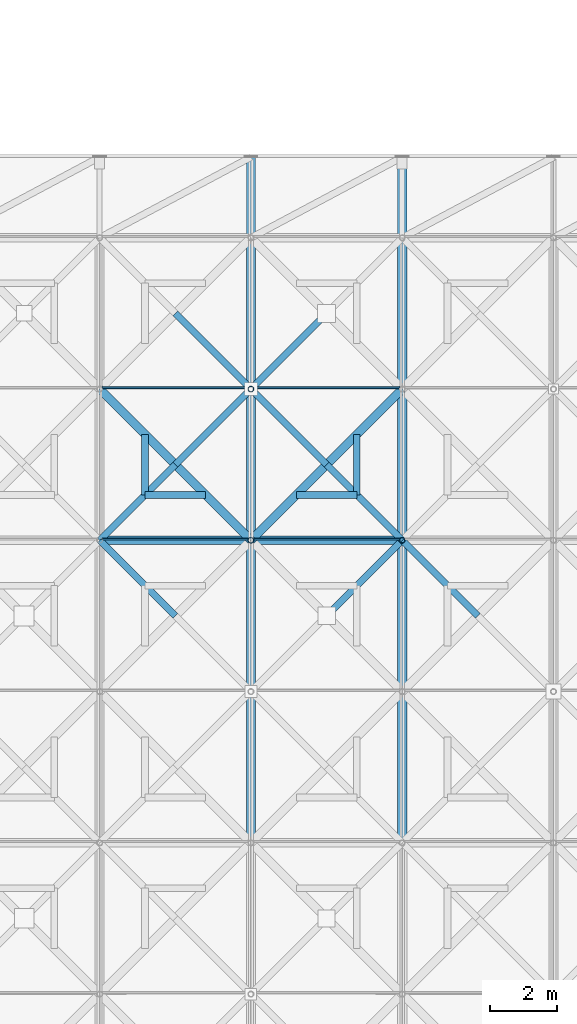
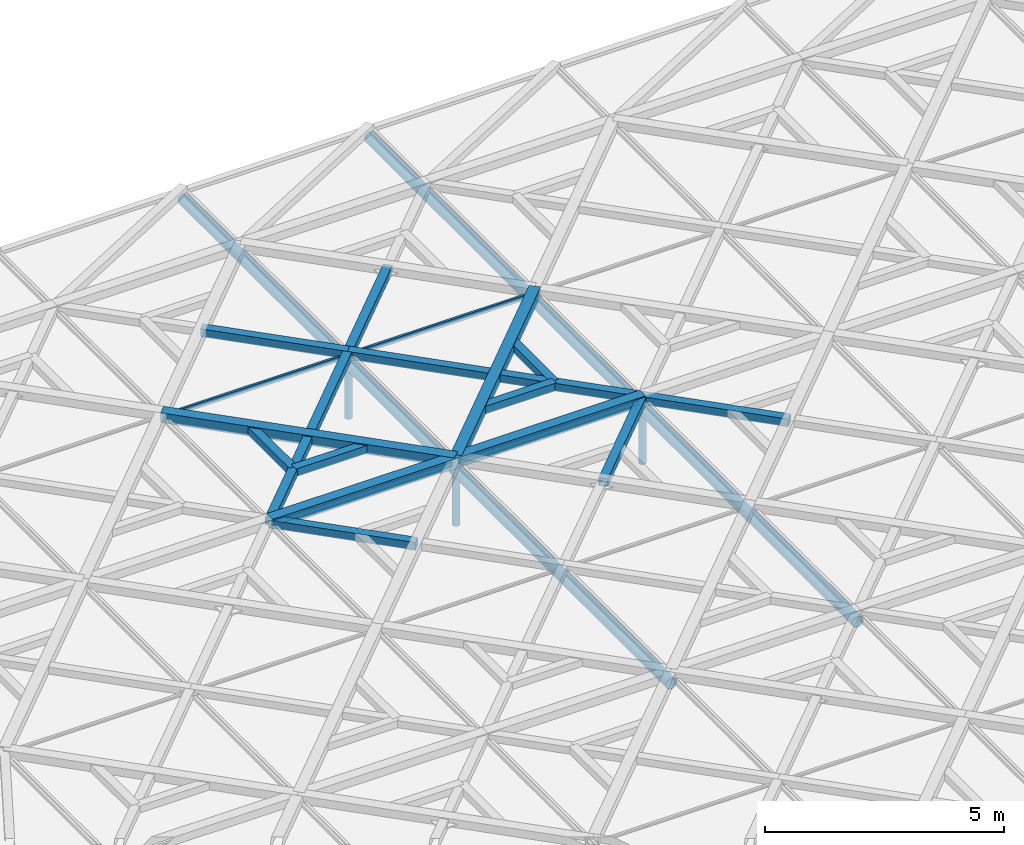
# One storey, part 54 of 80: 24 members, 2 elements without a shape of their own.
"""IFC4 building model written with IfcOpenShell, lengths in metres."""

import ifcopenshell
import ifcopenshell.guid

model = None  # the IFC model being written
_history = None  # IfcOwnerHistory: only IFC2X3 demands one
_inside = {}  # id of a spatial element -> (the spatial element, [elements in it])
_under = {}  # id of a project, library or spatial element -> (it, [spatial elements below it])
_declared = {}  # id of a project -> (the project, [libraries it declares])
_typed = {}  # id of a type object -> (the type object, [elements of that type])
_made_of = {}  # id of a material, layer set ... -> (it, [elements and type objects made of it])


def new_model(schema):
    """Start an empty IFC model of exactly this schema.

    Asked for "IFC4X3", IfcOpenShell would pick the latest addendum, in which some entities
    have other attributes; the version numbers below select the first issue.
    IFC2X3 requires an IfcOwnerHistory on every rooted entity: one is made here for all.
    """
    global model, _history
    if schema == "IFC4X3":
        model = ifcopenshell.file(schema_version=(4, 3, 0, 0))
    else:
        model = ifcopenshell.file(schema=schema)
    _inside.clear()
    _under.clear()
    _declared.clear()
    _typed.clear()
    _made_of.clear()
    _history = None
    if model.schema == "IFC2X3":
        org = make("IfcOrganization", Name="unknown")
        user = make(
            "IfcPersonAndOrganization",
            ThePerson=make("IfcPerson", FamilyName="unknown"),
            TheOrganization=org,
        )
        app = make(
            "IfcApplication",
            ApplicationDeveloper=org,
            Version="unknown",
            ApplicationFullName="unknown",
            ApplicationIdentifier="unknown",
        )
        _history = make(
            "IfcOwnerHistory",
            OwningUser=user,
            OwningApplication=app,
            ChangeAction="ADDED",
            CreationDate=0,
        )
    return model


def make(cls, **values):
    """One entity of the class cls with the attributes given. An attribute that is None is left unset."""
    return model.create_entity(
        cls, **{name: value for name, value in values.items() if value is not None}
    )


def rooted(cls, **values):
    """An entity with a GlobalId (a new one), such as an element, a storey or a relation."""
    return make(cls, GlobalId=ifcopenshell.guid.new(), OwnerHistory=_history, **values)


def si_unit(unit_type, name, prefix=None):
    """IfcSIUnit, for example si_unit("LENGTHUNIT", "METRE", prefix="MILLI")."""
    return make("IfcSIUnit", UnitType=unit_type, Prefix=prefix, Name=name)


def assignment(units):
    """IfcUnitAssignment: the units of a project."""
    return None if units is None else make("IfcUnitAssignment", Units=units)


def point(xyz):
    """IfcCartesianPoint."""
    return None if xyz is None else make("IfcCartesianPoint", Coordinates=xyz)


def direction(xyz):
    """IfcDirection."""
    return None if xyz is None else make("IfcDirection", DirectionRatios=xyz)


def frame(location, z_axis=None, x_axis=None):
    """IfcAxis2Placement3D, a coordinate frame: its origin and axes. An axis left out is left unset."""
    return make(
        "IfcAxis2Placement3D",
        Location=point(location),
        Axis=direction(z_axis),
        RefDirection=direction(x_axis),
    )


def frame_2d(location, x_axis=None):
    """IfcAxis2Placement2D, a coordinate frame in the plane: its origin and x axis."""
    return make(
        "IfcAxis2Placement2D", Location=point(location), RefDirection=direction(x_axis)
    )


def origin():
    """The frame at (0, 0, 0) with its axes left unset."""
    return frame((0.0, 0.0, 0.0))


def origin_2d():
    """The frame at (0, 0) in the plane with its x axis left unset."""
    return frame_2d((0.0, 0.0))


def place(relative_to, where):
    """IfcLocalPlacement: puts the frame where relative to a parent placement (None: the world)."""
    return make(
        "IfcLocalPlacement", PlacementRelTo=relative_to, RelativePlacement=where
    )


def context(
    kind, dimensions, precision=None, world=None, true_north=None, identifier=None
):
    """IfcGeometricRepresentationContext, for example the 3D "Model" context."""
    return make(
        "IfcGeometricRepresentationContext",
        ContextIdentifier=identifier,
        ContextType=kind,
        CoordinateSpaceDimension=dimensions,
        Precision=precision,
        WorldCoordinateSystem=world,
        TrueNorth=true_north,
    )


def subcontext(parent, identifier, kind, view, scale=None):
    """IfcGeometricRepresentationSubContext, for example "Body" below "Model"."""
    return make(
        "IfcGeometricRepresentationSubContext",
        ContextIdentifier=identifier,
        ContextType=kind,
        ParentContext=parent,
        TargetScale=scale,
        TargetView=view,
    )


def project(units=None, contexts=None):
    """IfcProject with its units and contexts."""
    return rooted(
        "IfcProject",
        Name="project",
        RepresentationContexts=contexts,
        UnitsInContext=assignment(units),
    )


def spatial(cls, under=None, at=None, **own):
    """A site, building, storey or space (cls), placed at a placement, below another one or the project."""
    s = rooted(cls, ObjectPlacement=at, **own)
    if under is not None:
        _under.setdefault(under.id(), (under, []))[1].append(s)
    return s


def profile(cls, at=None, kind="AREA", **sizes):
    """A parametric profile (cls). Its sizes go by their IFC names, for example OverallWidth=200.0."""
    return make(cls, ProfileType=kind, Position=at, **sizes)


def rectangle(**sizes):
    """IfcRectangleProfileDef."""
    return profile("IfcRectangleProfileDef", **sizes)


def hollow_rectangle(**sizes):
    """IfcRectangleHollowProfileDef."""
    return profile("IfcRectangleHollowProfileDef", **sizes)


def hollow_circle(**sizes):
    """IfcCircleHollowProfileDef."""
    return profile("IfcCircleHollowProfileDef", **sizes)


def extrude(swept, where, along, depth):
    """IfcExtrudedAreaSolid: the profile swept, set in the frame where, extruded along a direction by depth."""
    return make(
        "IfcExtrudedAreaSolid",
        SweptArea=swept,
        Position=where,
        ExtrudedDirection=direction(along),
        Depth=depth,
    )


def shape(context_of_items, identifier, shape_type, items):
    """IfcShapeRepresentation: the items that make up one representation, for example the "Body"."""
    return make(
        "IfcShapeRepresentation",
        ContextOfItems=context_of_items,
        RepresentationIdentifier=identifier,
        RepresentationType=shape_type,
        Items=items,
    )


def material(Name=None, Category=None):
    """IfcMaterial."""
    return make("IfcMaterial", Name=Name, Category=Category)


def material_profile(
    of_material, cross_section, Name=None, Category=None, Priority=None
):
    """IfcMaterialProfile: a cross section and its material."""
    return make(
        "IfcMaterialProfile",
        Name=Name,
        Material=of_material,
        Profile=cross_section,
        Priority=Priority,
        Category=Category,
    )


def profile_set(profiles, Name=None, composite=None):
    """IfcMaterialProfileSet."""
    return make(
        "IfcMaterialProfileSet",
        Name=Name,
        MaterialProfiles=profiles,
        CompositeProfile=composite,
    )


def made_of(thing, what):
    """Note that an element or type object is made of a material, layer set ...; save() writes the relation."""
    if what is not None:
        _made_of.setdefault(what.id(), (what, []))[1].append(thing)
    return thing


def type_object(cls, material=None, **own):
    """A type object (cls), such as IfcWallType, which elements share."""
    return made_of(rooted(cls, **own), material)


def element(
    cls,
    number,
    at=None,
    inside=None,
    cuts=None,
    type_object=None,
    material=None,
    context=None,
    identifier="Body",
    shape_type=None,
    held_by="IfcProductDefinitionShape",
    body=None,
    shapes=None,
    **own,
):
    """One element of the class cls, such as IfcWall. Its Tag is "e" and its number.

    at: its placement. inside: the storey or other place that contains it. cuts: it is an
    opening in that element (IfcRelVoidsElement). A single representation is given by context,
    identifier, shape_type and body (its items); several are given by shapes. held_by: the class
    of the entity that holds the representations. save() writes the other relations.
    """
    e = rooted(cls, Tag="e%d" % number, ObjectPlacement=at, **own)
    if body is not None:
        shapes = [shape(context, identifier, shape_type, body)]
    if shapes is not None:
        e.Representation = make(held_by, Representations=shapes)
    if inside is not None:
        _inside.setdefault(inside.id(), (inside, []))[1].append(e)
    if cuts is not None:
        rooted(
            "IfcRelVoidsElement", RelatingBuildingElement=cuts, RelatedOpeningElement=e
        )
    if type_object is not None:
        _typed.setdefault(type_object.id(), (type_object, []))[1].append(e)
    return made_of(e, material)


def aggregate(whole, parts):
    """IfcRelAggregates: a whole, such as a stair, and the parts it consists of."""
    return rooted("IfcRelAggregates", RelatingObject=whole, RelatedObjects=parts)


def save(model, path):
    """Write the relations noted so far, then the file.

    IfcRelAggregates (storeys below a building ...), IfcRelContainedInSpatialStructure (elements
    in a storey), IfcRelDefinesByType, IfcRelAssociatesMaterial and IfcRelDeclares: one each for
    every whole, place, type object, material and project.
    """
    for whole, parts in _under.values():
        aggregate(whole, parts)
    for where, things in _inside.values():
        rooted(
            "IfcRelContainedInSpatialStructure",
            RelatedElements=things,
            RelatingStructure=where,
        )
    for kind, things in _typed.values():
        rooted("IfcRelDefinesByType", RelatedObjects=things, RelatingType=kind)
    for what, things in _made_of.values():
        rooted("IfcRelAssociatesMaterial", RelatedObjects=things, RelatingMaterial=what)
    for by, libraries in _declared.values():
        rooted("IfcRelDeclares", RelatingContext=by, RelatedDefinitions=libraries)
    model.write(path)


model = new_model("IFC4")

# Units and contexts
model_context = context("Model", 3, precision=1e-05, world=origin(), true_north=direction((0.0, 1.0)))
body_context = subcontext(model_context, "Body", "Model", "MODEL_VIEW")
ifc_project = project(units=[si_unit("LENGTHUNIT", "METRE"), si_unit("AREAUNIT", "SQUARE_METRE"), si_unit("VOLUMEUNIT", "CUBIC_METRE"), si_unit("PLANEANGLEUNIT", "RADIAN"), si_unit("MASSUNIT", "GRAM", prefix="KILO"), si_unit("THERMODYNAMICTEMPERATUREUNIT", "KELVIN"), si_unit("POWERUNIT", "WATT")], contexts=[model_context])

# Site, building, storey
site_placement = place(None, origin())
site = spatial("IfcSite", under=ifc_project, at=site_placement, CompositionType="ELEMENT")
building_placement = place(site_placement, origin())
building = spatial("IfcBuilding", under=site, at=building_placement, Name="Tallowbark Science Centre", CompositionType="ELEMENT")
storey_placement = place(building_placement, frame((0.0, 0.0, 25.949951171875)))
storey = spatial("IfcBuildingStorey", under=building, at=storey_placement, Name="ROOF", CompositionType="ELEMENT", Elevation=25.949951171875)

# Curtain wall, members
ifc_material_1 = material(Name="Blue-Tinted Laminated Low-E Skylight Glass", Category="glass")
curtain_wall_type = type_object("IfcCurtainWallType", Name="CW-SKY-ROOF", PredefinedType="NOTDEFINED", material=ifc_material_1)
curtain_wall_1_placement = place(storey_placement, origin())
curtain_wall_1 = element("IfcCurtainWall", 1, at=curtain_wall_1_placement, inside=storey, type_object=curtain_wall_type, Name="Exhibition Star-Screen Skylight Bay 4", PredefinedType="NOTDEFINED")
ifc_material_2 = material(Name="Anodised Architectural Aluminium Alloy 6063-T6", Category="aluminium")
ifc_material_profile_1 = material_profile(ifc_material_2, rectangle(XDim=0.054931640625, YDim=0.1201171875, at=origin_2d()), Name="ALU55x120")
ifc_profile_set_1 = profile_set([ifc_material_profile_1], Name="Anodised Architectural Aluminium Alloy 6063-T6")
member_type_1 = type_object("IfcMemberType", Name="CWM-SKY-TRN", PredefinedType="USERDEFINED", material=ifc_profile_set_1)
member_1_placement = place(storey_placement, frame((67.580078125, 31.5400390625, 0.35205078125), z_axis=(1.0, 0.0, 0.0), x_axis=(0.0, 1.0, 0.0)))
member_1 = element("IfcMember", 2, at=member_1_placement, type_object=member_type_1, Name="Skylight Bay 4 Transom 8", ObjectType="TRANSOM", PredefinedType="USERDEFINED", context=body_context, shape_type="SweptSolid", body=[
    extrude(rectangle(XDim=0.054931640625, YDim=0.1201171875, at=origin_2d()), origin(), (0.0, 0.0, 1.0), 4.33984375),
])
member_2_placement = place(storey_placement, frame((67.580078125, 36.0400390625, 0.35205078125), z_axis=(1.0, 0.0, 0.0), x_axis=(0.0, 1.0, 0.0)))
member_2 = element("IfcMember", 3, at=member_2_placement, type_object=member_type_1, Name="Skylight Bay 4 Transom 9", ObjectType="TRANSOM", PredefinedType="USERDEFINED", context=body_context, shape_type="SweptSolid", body=[
    extrude(rectangle(XDim=0.054931640625, YDim=0.1201171875, at=origin_2d()), origin(), (0.0, 0.0, 1.0), 4.33984375),
])
aggregate(curtain_wall_1, [member_1, member_2])

curtain_wall_2_placement = place(storey_placement, origin())
curtain_wall_2 = element("IfcCurtainWall", 4, at=curtain_wall_2_placement, inside=storey, type_object=curtain_wall_type, Name="Exhibition Star-Screen Skylight Bay 5", PredefinedType="NOTDEFINED")
member_3_placement = place(storey_placement, frame((72.080078125, 31.5400390625, 0.35205078125), z_axis=(1.0, 0.0, 0.0), x_axis=(0.0, 1.0, 0.0)))
member_3 = element("IfcMember", 5, at=member_3_placement, type_object=member_type_1, Name="Skylight Bay 5 Transom 8", ObjectType="TRANSOM", PredefinedType="USERDEFINED", context=body_context, shape_type="SweptSolid", body=[
    extrude(rectangle(XDim=0.054931640625, YDim=0.1201171875, at=origin_2d()), origin(), (0.0, 0.0, 1.0), 4.33984375),
])
member_4_placement = place(storey_placement, frame((72.080078125, 36.0400390625, 0.35205078125), z_axis=(1.0, 0.0, 0.0), x_axis=(0.0, 1.0, 0.0)))
member_4 = element("IfcMember", 6, at=member_4_placement, type_object=member_type_1, Name="Skylight Bay 5 Transom 9", ObjectType="TRANSOM", PredefinedType="USERDEFINED", context=body_context, shape_type="SweptSolid", body=[
    extrude(rectangle(XDim=0.054931640625, YDim=0.1201171875, at=origin_2d()), origin(), (0.0, 0.0, 1.0), 4.33984375),
])
aggregate(curtain_wall_2, [member_3, member_4])

# Members
ifc_material_3 = material(Name="White Architectural Painted Steel Grade C350L0 (350 MPa)", Category="steel")
ifc_material_profile_2 = material_profile(ifc_material_3, hollow_rectangle(XDim=0.25, YDim=0.25, WallThickness=0.009033203125, at=origin_2d()), Name="250x250x9.0SHS")
ifc_profile_set_2 = profile_set([ifc_material_profile_2], Name="White Architectural Painted Steel Grade C350L0 (350 MPa)")
member_type_2 = type_object("IfcMemberType", Name="SCR-CHD200", PredefinedType="CHORD", material=ifc_profile_set_2)
member_5_placement = place(storey_placement, frame((67.5, 31.5, 0.449951171875), z_axis=(1.0, 0.0, 0.0), x_axis=(0.0, 1.0, 0.0)))
element("IfcMember", 7, at=member_5_placement, inside=storey, type_object=member_type_2, Name="Star Screen Frame Chord TOP-60", PredefinedType="CHORD", context=body_context, shape_type="SweptSolid", body=[
    extrude(hollow_rectangle(XDim=0.25, YDim=0.25, WallThickness=0.009033203125, at=origin_2d()), origin(), (0.0, 0.0, 1.0), 9.0),
])
for number, where, z_axis, x_axis, name in (
    (8, (72.0, 31.5, 0.449951171875), (0.707106781187, 0.707106781187, 0.0), (-0.707106781187, 0.707106781187, 0.0), "Star Screen Octagram Diamond Chord TOP-61-1"),
    (9, (67.5, 36.0, 0.449951171875), (0.707106781187, -0.707106781187, 0.0), (0.707106781187, 0.707106781187, 0.0), "Star Screen Octagram Diamond Chord TOP-61-4"),
):
    element("IfcMember", number, at=place(storey_placement, frame(where, z_axis=z_axis, x_axis=x_axis)), inside=storey, type_object=member_type_2, Name=name, PredefinedType="CHORD", context=body_context, shape_type="SweptSolid", body=[
        extrude(hollow_rectangle(XDim=0.25, YDim=0.25, WallThickness=0.009033203125, at=origin_2d()), origin(), (0.0, 0.0, 1.0), 6.364013671875),
    ])
ifc_material_profile_3 = material_profile(ifc_material_3, hollow_rectangle(XDim=0.199951171875, YDim=0.199951171875, WallThickness=0.009033203125, at=origin_2d()), Name="200x200x9.0SHS")
ifc_profile_set_3 = profile_set([ifc_material_profile_3], Name="White Architectural Painted Steel Grade C350L0 (350 MPa)")
member_type_3 = type_object("IfcMemberType", Name="SCR-STAR139", PredefinedType="BRACE", material=ifc_profile_set_3)
for number, where, z_axis, x_axis, name in (
    (10, (74.25, 29.25, 0.449951171875), (0.707106781187, 0.707106781187, 0.0), (-0.707106781187, 0.707106781187, 0.0), "Star Screen Continuous X-Diagonal D1B TOP-60"),
    (11, (67.5, 31.5, 0.449951171875), (0.707106781187, -0.707106781187, 0.0), (0.707106781187, 0.707106781187, 0.0), "Star Screen Split X-Diagonal D2A TOP-60"),
    (12, (67.5, 31.5, 0.449951171875), (0.707106781187, 0.707106781187, 0.0), (-0.707106781187, 0.707106781187, 0.0), "Star Screen Continuous X-Diagonal D1A TOP-61"),
):
    element("IfcMember", number, at=place(storey_placement, frame(where, z_axis=z_axis, x_axis=x_axis)), inside=storey, type_object=member_type_3, Name=name, PredefinedType="BRACE", context=body_context, shape_type="SweptSolid", body=[
        extrude(hollow_rectangle(XDim=0.199951171875, YDim=0.199951171875, WallThickness=0.009033203125, at=origin_2d()), origin(), (0.0, 0.0, 1.0), 3.181884765625),
    ])
member_6_placement = place(storey_placement, frame((69.75, 33.75, 0.449951171875), z_axis=(0.707106781187, 0.707106781187, 0.0), x_axis=(-0.707106781187, 0.707106781187, 0.0)))
element("IfcMember", 13, at=member_6_placement, inside=storey, type_object=member_type_3, Name="Star Screen Continuous X-Diagonal D1M TOP-61", PredefinedType="BRACE", context=body_context, shape_type="SweptSolid", body=[
    extrude(hollow_rectangle(XDim=0.199951171875, YDim=0.199951171875, WallThickness=0.009033203125, at=origin_2d()), origin(), (0.0, 0.0, 1.0), 6.364013671875),
])
for number, where, z_axis, x_axis, name in (
    (14, (69.75, 38.25, 0.449951171875), (0.707106781187, -0.707106781187, 0.0), (0.707106781187, 0.707106781187, 0.0), "Star Screen Split X-Diagonal D2B TOP-61"),
    (15, (72.0, 36.0, 0.449951171875), (0.707106781187, -0.707106781187, 0.0), (0.707106781187, 0.707106781187, 0.0), "Star Screen Split X-Diagonal D2C TOP-61"),
    (16, (74.25, 33.75, 0.449951171875), (0.707106781187, -0.707106781187, 0.0), (0.707106781187, 0.707106781187, 0.0), "Star Screen Split X-Diagonal D2D TOP-61"),
    (17, (76.5, 31.5, 0.449951171875), (0.707106781187, -0.707106781187, 0.0), (0.707106781187, 0.707106781187, 0.0), "Star Screen Split X-Diagonal D2A TOP-64"),
):
    element("IfcMember", number, at=place(storey_placement, frame(where, z_axis=z_axis, x_axis=x_axis)), inside=storey, type_object=member_type_3, Name=name, PredefinedType="BRACE", context=body_context, shape_type="SweptSolid", body=[
        extrude(hollow_rectangle(XDim=0.199951171875, YDim=0.199951171875, WallThickness=0.009033203125, at=origin_2d()), origin(), (0.0, 0.0, 1.0), 3.181884765625),
    ])
ifc_material_profile_4 = material_profile(ifc_material_3, hollow_rectangle(XDim=0.199951171875, YDim=0.199951171875, WallThickness=0.009033203125, at=origin_2d()), Name="200x200x9.0SHS")
ifc_profile_set_4 = profile_set([ifc_material_profile_4], Name="White Architectural Painted Steel Grade C350L0 (350 MPa)")
member_type_4 = type_object("IfcMemberType", Name="SCR-SUB150", PredefinedType="BRACE", material=ifc_profile_set_4)
for number, where, z_axis, x_axis, name in (
    (18, (68.85009765625, 32.85009765625, 0.449951171875), (1.0, 0.0, 0.0), (0.0, 1.0, 0.0), "Star Screen Octagram Point Ray TOP-61-1"),
    (19, (68.85009765625, 32.85009765625, 0.449951171875), (0.0, 1.0, 0.0), (-1.0, 0.0, 0.0), "Star Screen Octagram Point Ray TOP-61-2"),
    (20, (75.14990234375, 32.85009765625, 0.449951171875), (-1.0, 0.0, 0.0), (0.0, -1.0, 0.0), "Star Screen Octagram Point Ray TOP-61-3"),
    (21, (75.14990234375, 32.85009765625, 0.449951171875), (0.0, 1.0, 0.0), (-1.0, 0.0, 0.0), "Star Screen Octagram Point Ray TOP-61-4"),
):
    element("IfcMember", number, at=place(storey_placement, frame(where, z_axis=z_axis, x_axis=x_axis)), inside=storey, type_object=member_type_4, Name=name, PredefinedType="BRACE", context=body_context, shape_type="SweptSolid", body=[
        extrude(hollow_rectangle(XDim=0.199951171875, YDim=0.199951171875, WallThickness=0.009033203125, at=origin_2d()), origin(), (0.0, 0.0, 1.0), 1.7998046875),
    ])
ifc_material_profile_5 = material_profile(ifc_material_3, hollow_circle(Radius=0.136474609375, WallThickness=0.00927734375, at=origin_2d()), Name="273.1x9.3CHS")
ifc_profile_set_5 = profile_set([ifc_material_profile_5], Name="White Architectural Painted Steel Grade C350L0 (350 MPa)")
member_type_5 = type_object("IfcMemberType", Name="TR-CHD273", PredefinedType="CHORD", material=ifc_profile_set_5)
for number, where, z_axis, x_axis, name in (
    (22, (72.0, 22.5, 0.18994140625), (0.0, 1.0, 0.0), (-1.0, 0.0, 0.0), "Exhibition Roof Truss North Top Chord 4"),
    (23, (76.5, 22.5, 0.18994140625), (0.0, 1.0, 0.0), (-1.0, 0.0, 0.0), "Exhibition Roof Truss North Top Chord 5"),
):
    element("IfcMember", number, at=place(storey_placement, frame(where, z_axis=z_axis, x_axis=x_axis)), inside=storey, type_object=member_type_5, Name=name, PredefinedType="CHORD", context=body_context, shape_type="SweptSolid", body=[
        extrude(hollow_circle(Radius=0.136474609375, WallThickness=0.00927734375, at=origin_2d()), origin(), (0.0, 0.0, 1.0), 20.39990234375),
    ])
ifc_material_profile_6 = material_profile(ifc_material_3, hollow_circle(Radius=0.084228515625, WallThickness=0.007080078125, at=origin_2d()), Name="168.3x7.1CHS")
ifc_profile_set_6 = profile_set([ifc_material_profile_6], Name="White Architectural Painted Steel Grade C350L0 (350 MPa)")
member_type_6 = type_object("IfcMemberType", Name="TR-WEB168", PredefinedType="BRACE", material=ifc_profile_set_6)
for number, where, z_axis, x_axis, name in (
    (24, (72.0, 31.5, -1.199951171875), (0.0, 0.0, 1.0), (1.0, 0.0, 0.0), "Exhibition Roof Truss Web 4-31.5"),
    (25, (72.0, 36.0, -1.199951171875), (0.0, 0.0, 1.0), (1.0, 0.0, 0.0), "Exhibition Roof Truss Web 4-36"),
    (26, (76.5, 31.5, -1.199951171875), (0.0, 0.0, 1.0), (1.0, 0.0, 0.0), "Exhibition Roof Truss Web 5-31.5"),
):
    element("IfcMember", number, at=place(storey_placement, frame(where, z_axis=z_axis, x_axis=x_axis)), inside=storey, type_object=member_type_6, Name=name, PredefinedType="BRACE", context=body_context, shape_type="SweptSolid", body=[
        extrude(hollow_circle(Radius=0.084228515625, WallThickness=0.007080078125, at=origin_2d()), origin(), (0.0, 0.0, 1.0), 1.389892578125),
    ])

save(model, "model.ifc")
